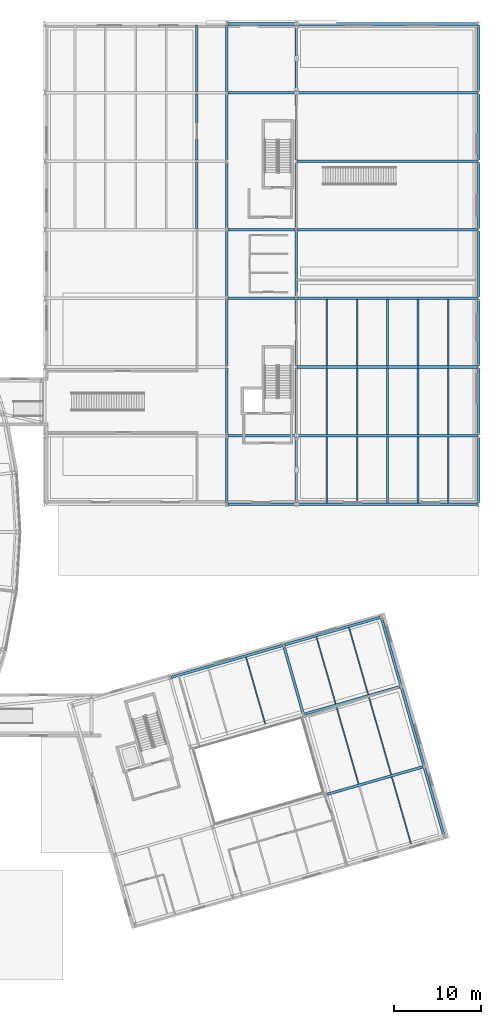
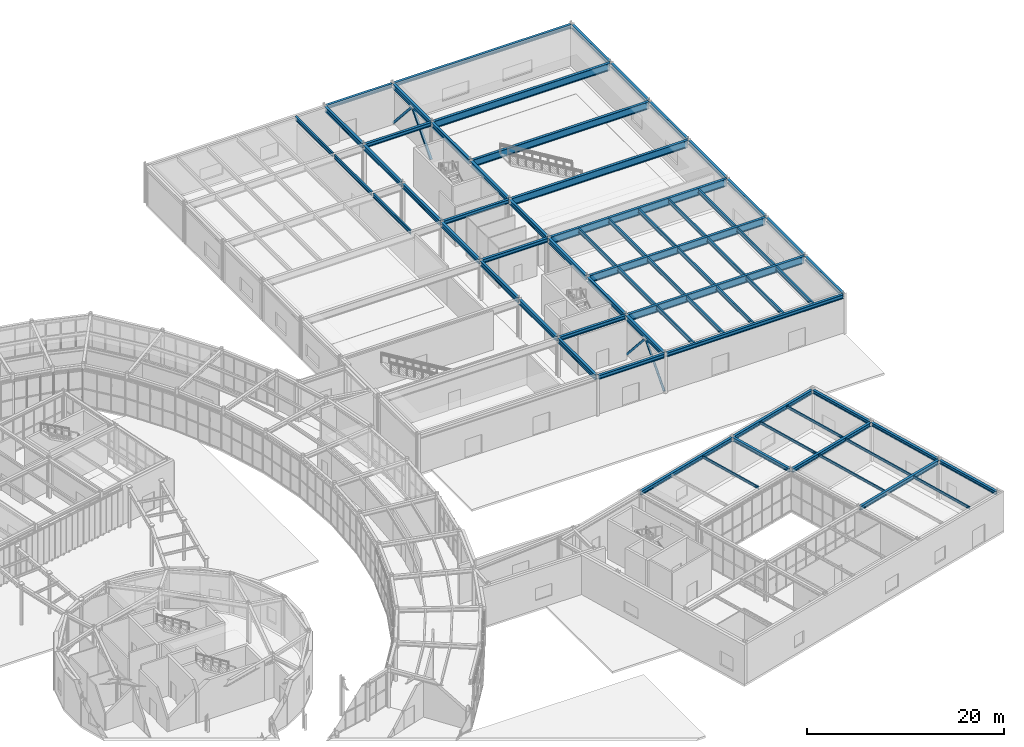
# One storey, part 54 of 97: 67 beams, 4 members.
"""IFC4 building model written with IfcOpenShell, lengths in metres."""

from ifc_helpers import new_model, si_unit, direction, frame, origin, origin_2d, place, context, subcontext, project, spatial, hollow_rectangle, hollow_circle, i_section, extrude, material, material_profile, profile_set, type_object, element, save


model = new_model("IFC4")

# Units and contexts
model_context = context("Model", 3, precision=1e-05, world=origin(), true_north=direction((0.0, 1.0)))
body_context = subcontext(model_context, "Body", "Model", "MODEL_VIEW")
ifc_project = project(units=[si_unit("LENGTHUNIT", "METRE"), si_unit("AREAUNIT", "SQUARE_METRE"), si_unit("VOLUMEUNIT", "CUBIC_METRE"), si_unit("PLANEANGLEUNIT", "RADIAN"), si_unit("MASSUNIT", "GRAM", prefix="KILO")], contexts=[model_context])

# Site, building, storey
site_placement = place(None, origin())
site = spatial("IfcSite", under=ifc_project, at=site_placement, CompositionType="ELEMENT")
building_placement = place(site_placement, origin())
building = spatial("IfcBuilding", under=site, at=building_placement, Name="Varnklinge Art Gallery", CompositionType="ELEMENT")
storey_placement = place(building_placement, origin())
storey = spatial("IfcBuildingStorey", under=building, at=storey_placement, Name="L00", CompositionType="ELEMENT", Elevation=0.0)

# Beams
ifc_material_1 = material(Name="Steel S355", Category="steel")
ifc_material_profile_1 = material_profile(ifc_material_1, i_section(OverallWidth=0.300048828125, OverallDepth=0.89990234375, WebThickness=0.0185546875, FlangeThickness=0.034912109375, FilletRadius=0.030029296875, at=origin_2d()), Name="HEB 900")
ifc_profile_set_1 = profile_set([ifc_material_profile_1], Name="Steel S355")
beam_type_1 = type_object("IfcBeamType", Name="BM-02", PredefinedType="BEAM", material=ifc_profile_set_1)
for number, where, z_axis, x_axis, name in (
    (1, (143.5400390625, 66.10009765625, 4.429931640625), (1.0, 0.0, 0.0), (0.0, 1.0, 0.0), "L00 BM-02 BM-V1-L01-X1-2"),
    (2, (143.5400390625, 74.0, 4.429931640625), (1.0, 0.0, 0.0), (0.0, 1.0, 0.0), "L00 BM-02 BM-V1-L01-X2-2"),
    (3, (143.5400390625, 81.89990234375, 4.429931640625), (1.0, 0.0, 0.0), (0.0, 1.0, 0.0), "L00 BM-02 BM-V1-L01-X3-2"),
    (4, (143.5400390625, 89.800048828125, 4.429931640625), (1.0, 0.0, 0.0), (0.0, 1.0, 0.0), "L00 BM-02 BM-V1-L01-X4-2"),
    (5, (143.5400390625, 97.699951171875, 4.429931640625), (1.0, 0.0, 0.0), (0.0, 1.0, 0.0), "L00 BM-02 BM-V1-L01-X5-2"),
    (6, (143.5400390625, 105.60009765625, 4.429931640625), (1.0, 0.0, 0.0), (0.0, 1.0, 0.0), "L00 BM-02 BM-V1-L01-X6-2"),
):
    element("IfcBeam", number, at=place(storey_placement, frame(where, z_axis=z_axis, x_axis=x_axis)), inside=storey, type_object=beam_type_1, Name=name, PredefinedType="BEAM", context=body_context, shape_type="SweptSolid", body=[
        extrude(i_section(OverallWidth=0.300048828125, OverallDepth=0.89990234375, WebThickness=0.0185546875, FlangeThickness=0.034912109375, FilletRadius=0.030029296875, at=origin_2d()), origin(), (0.0, 0.0, 1.0), 20.719970703125),
    ])
ifc_material_2 = material(Name="Steel S355", Category="steel")
ifc_material_profile_2 = material_profile(ifc_material_2, i_section(OverallWidth=0.300048828125, OverallDepth=0.60009765625, WebThickness=0.015380859375, FlangeThickness=0.030029296875, FilletRadius=0.027099609375, at=origin_2d()), Name="HEB 600")
ifc_profile_set_2 = profile_set([ifc_material_profile_2], Name="Steel S355")
beam_type_2 = type_object("IfcBeamType", Name="BM-05", PredefinedType="BEAM", material=ifc_profile_set_2)
beam_1_placement = place(storey_placement, frame((135.39990234375, 58.340087890625, 4.580078125), z_axis=(0.0, 1.0, 0.0), x_axis=(-1.0, 0.0, 0.0)))
element("IfcBeam", 7, at=beam_1_placement, inside=storey, type_object=beam_type_2, Name="L00 BM-05 BM-V1-L01-Y1-0", PredefinedType="BEAM", context=body_context, shape_type="SweptSolid", body=[
    extrude(i_section(OverallWidth=0.300048828125, OverallDepth=0.60009765625, WebThickness=0.015380859375, FlangeThickness=0.030029296875, FilletRadius=0.027099609375, at=origin_2d()), origin(), (0.0, 0.0, 1.0), 7.619873046875),
])
for number, where, z_axis, x_axis, name in (
    (8, (135.39990234375, 66.239990234375, 4.580078125), (0.0, 1.0, 0.0), (-1.0, 0.0, 0.0), "L00 BM-05 BM-V1-L01-Y1-1"),
    (9, (135.39990234375, 74.139892578125, 4.580078125), (0.0, 1.0, 0.0), (-1.0, 0.0, 0.0), "L00 BM-05 BM-V1-L01-Y1-2"),
):
    element("IfcBeam", number, at=place(storey_placement, frame(where, z_axis=z_axis, x_axis=x_axis)), inside=storey, type_object=beam_type_2, Name=name, PredefinedType="BEAM", context=body_context, shape_type="SweptSolid", body=[
        extrude(i_section(OverallWidth=0.300048828125, OverallDepth=0.60009765625, WebThickness=0.015380859375, FlangeThickness=0.030029296875, FilletRadius=0.027099609375, at=origin_2d()), origin(), (0.0, 0.0, 1.0), 7.6201171875),
    ])
beam_2_placement = place(storey_placement, frame((135.39990234375, 82.0400390625, 4.580078125), z_axis=(0.0, 1.0, 0.0), x_axis=(-1.0, 0.0, 0.0)))
element("IfcBeam", 10, at=beam_2_placement, inside=storey, type_object=beam_type_2, Name="L00 BM-05 BM-V1-L01-Y1-3", PredefinedType="BEAM", context=body_context, shape_type="SweptSolid", body=[
    extrude(i_section(OverallWidth=0.300048828125, OverallDepth=0.60009765625, WebThickness=0.015380859375, FlangeThickness=0.030029296875, FilletRadius=0.027099609375, at=origin_2d()), origin(), (0.0, 0.0, 1.0), 7.619873046875),
])
beam_3_placement = place(storey_placement, frame((135.39990234375, 89.93994140625, 4.580078125), z_axis=(0.0, 1.0, 0.0), x_axis=(-1.0, 0.0, 0.0)))
element("IfcBeam", 11, at=beam_3_placement, inside=storey, type_object=beam_type_2, Name="L00 BM-05 BM-V1-L01-Y1-4", PredefinedType="BEAM", context=body_context, shape_type="SweptSolid", body=[
    extrude(i_section(OverallWidth=0.300048828125, OverallDepth=0.60009765625, WebThickness=0.015380859375, FlangeThickness=0.030029296875, FilletRadius=0.027099609375, at=origin_2d()), origin(), (0.0, 0.0, 1.0), 7.6201171875),
])
beam_4_placement = place(storey_placement, frame((135.39990234375, 97.840087890625, 4.580078125), z_axis=(0.0, 1.0, 0.0), x_axis=(-1.0, 0.0, 0.0)))
element("IfcBeam", 12, at=beam_4_placement, inside=storey, type_object=beam_type_2, Name="L00 BM-05 BM-V1-L01-Y1-5", PredefinedType="BEAM", context=body_context, shape_type="SweptSolid", body=[
    extrude(i_section(OverallWidth=0.300048828125, OverallDepth=0.60009765625, WebThickness=0.015380859375, FlangeThickness=0.030029296875, FilletRadius=0.027099609375, at=origin_2d()), origin(), (0.0, 0.0, 1.0), 7.619873046875),
])
beam_5_placement = place(storey_placement, frame((135.39990234375, 105.739990234375, 4.580078125), z_axis=(0.0, 1.0, 0.0), x_axis=(-1.0, 0.0, 0.0)))
element("IfcBeam", 13, at=beam_5_placement, inside=storey, type_object=beam_type_2, Name="L00 BM-05 BM-V1-L01-Y1-6", PredefinedType="BEAM", context=body_context, shape_type="SweptSolid", body=[
    extrude(i_section(OverallWidth=0.300048828125, OverallDepth=0.60009765625, WebThickness=0.015380859375, FlangeThickness=0.030029296875, FilletRadius=0.027099609375, at=origin_2d()), origin(), (0.0, 0.0, 1.0), 7.6201171875),
])
beam_6_placement = place(storey_placement, frame((143.39990234375, 58.340087890625, 4.580078125), z_axis=(0.0, 1.0, 0.0), x_axis=(-1.0, 0.0, 0.0)))
element("IfcBeam", 14, at=beam_6_placement, inside=storey, type_object=beam_type_2, Name="L00 BM-05 BM-V1-L01-Y2-0", PredefinedType="BEAM", context=body_context, shape_type="SweptSolid", body=[
    extrude(i_section(OverallWidth=0.300048828125, OverallDepth=0.60009765625, WebThickness=0.015380859375, FlangeThickness=0.030029296875, FilletRadius=0.027099609375, at=origin_2d()), origin(), (0.0, 0.0, 1.0), 7.619873046875),
])
for number, where, z_axis, x_axis, name in (
    (15, (143.39990234375, 66.239990234375, 4.580078125), (0.0, 1.0, 0.0), (-1.0, 0.0, 0.0), "L00 BM-05 BM-V1-L01-Y2-1"),
    (16, (143.39990234375, 74.139892578125, 4.580078125), (0.0, 1.0, 0.0), (-1.0, 0.0, 0.0), "L00 BM-05 BM-V1-L01-Y2-2"),
):
    element("IfcBeam", number, at=place(storey_placement, frame(where, z_axis=z_axis, x_axis=x_axis)), inside=storey, type_object=beam_type_2, Name=name, PredefinedType="BEAM", context=body_context, shape_type="SweptSolid", body=[
        extrude(i_section(OverallWidth=0.300048828125, OverallDepth=0.60009765625, WebThickness=0.015380859375, FlangeThickness=0.030029296875, FilletRadius=0.027099609375, at=origin_2d()), origin(), (0.0, 0.0, 1.0), 7.6201171875),
    ])
beam_7_placement = place(storey_placement, frame((143.39990234375, 82.0400390625, 4.580078125), z_axis=(0.0, 1.0, 0.0), x_axis=(-1.0, 0.0, 0.0)))
element("IfcBeam", 17, at=beam_7_placement, inside=storey, type_object=beam_type_2, Name="L00 BM-05 BM-V1-L01-Y2-3", PredefinedType="BEAM", context=body_context, shape_type="SweptSolid", body=[
    extrude(i_section(OverallWidth=0.300048828125, OverallDepth=0.60009765625, WebThickness=0.015380859375, FlangeThickness=0.030029296875, FilletRadius=0.027099609375, at=origin_2d()), origin(), (0.0, 0.0, 1.0), 7.619873046875),
])
beam_8_placement = place(storey_placement, frame((143.39990234375, 89.93994140625, 4.580078125), z_axis=(0.0, 1.0, 0.0), x_axis=(-1.0, 0.0, 0.0)))
element("IfcBeam", 18, at=beam_8_placement, inside=storey, type_object=beam_type_2, Name="L00 BM-05 BM-V1-L01-Y2-4", PredefinedType="BEAM", context=body_context, shape_type="SweptSolid", body=[
    extrude(i_section(OverallWidth=0.300048828125, OverallDepth=0.60009765625, WebThickness=0.015380859375, FlangeThickness=0.030029296875, FilletRadius=0.027099609375, at=origin_2d()), origin(), (0.0, 0.0, 1.0), 7.6201171875),
])
beam_9_placement = place(storey_placement, frame((143.39990234375, 97.840087890625, 4.580078125), z_axis=(0.0, 1.0, 0.0), x_axis=(-1.0, 0.0, 0.0)))
element("IfcBeam", 19, at=beam_9_placement, inside=storey, type_object=beam_type_2, Name="L00 BM-05 BM-V1-L01-Y2-5", PredefinedType="BEAM", context=body_context, shape_type="SweptSolid", body=[
    extrude(i_section(OverallWidth=0.300048828125, OverallDepth=0.60009765625, WebThickness=0.015380859375, FlangeThickness=0.030029296875, FilletRadius=0.027099609375, at=origin_2d()), origin(), (0.0, 0.0, 1.0), 7.619873046875),
])
beam_10_placement = place(storey_placement, frame((143.39990234375, 105.739990234375, 4.580078125), z_axis=(0.0, 1.0, 0.0), x_axis=(-1.0, 0.0, 0.0)))
element("IfcBeam", 20, at=beam_10_placement, inside=storey, type_object=beam_type_2, Name="L00 BM-05 BM-V1-L01-Y2-6", PredefinedType="BEAM", context=body_context, shape_type="SweptSolid", body=[
    extrude(i_section(OverallWidth=0.300048828125, OverallDepth=0.60009765625, WebThickness=0.015380859375, FlangeThickness=0.030029296875, FilletRadius=0.027099609375, at=origin_2d()), origin(), (0.0, 0.0, 1.0), 7.6201171875),
])
ifc_material_3 = material(Name="Steel S355", Category="steel")
ifc_material_profile_3 = material_profile(ifc_material_3, i_section(OverallWidth=0.300048828125, OverallDepth=0.489990234375, WebThickness=0.011962890625, FlangeThickness=0.02294921875, FilletRadius=0.027099609375, at=origin_2d()), Name="HEA 500")
ifc_profile_set_3 = profile_set([ifc_material_profile_3], Name="Steel S355")
beam_type_3 = type_object("IfcBeamType", Name="BM-07", PredefinedType="BEAM", material=ifc_profile_set_3)
for number, where, z_axis, x_axis, name in (
    (21, (135.5400390625, 66.10009765625, 4.635009765625), (1.0, 0.0, 0.0), (0.0, 1.0, 0.0), "L00 BM-07 BM-V1-L01-X1-1"),
    (22, (135.5400390625, 81.89990234375, 4.635009765625), (1.0, 0.0, 0.0), (0.0, 1.0, 0.0), "L00 BM-07 BM-V1-L01-X3-1"),
    (23, (135.5400390625, 89.800048828125, 4.635009765625), (1.0, 0.0, 0.0), (0.0, 1.0, 0.0), "L00 BM-07 BM-V1-L01-X4-1"),
    (24, (135.5400390625, 105.60009765625, 4.635009765625), (1.0, 0.0, 0.0), (0.0, 1.0, 0.0), "L00 BM-07 BM-V1-L01-X6-1"),
):
    element("IfcBeam", number, at=place(storey_placement, frame(where, z_axis=z_axis, x_axis=x_axis)), inside=storey, type_object=beam_type_3, Name=name, PredefinedType="BEAM", context=body_context, shape_type="SweptSolid", body=[
        extrude(i_section(OverallWidth=0.300048828125, OverallDepth=0.489990234375, WebThickness=0.011962890625, FlangeThickness=0.02294921875, FilletRadius=0.027099609375, at=origin_2d()), origin(), (0.0, 0.0, 1.0), 7.719970703125),
    ])
for number, where, z_axis, x_axis, name in (
    (25, (146.994140625, 24.798828125, 4.635009765625), (0.961262939416, 0.275633019257, 0.0), (-0.275633019257, 0.961262939416, 0.0), "L00 BM-07 BM-V6-L01-U1-2"),
    (26, (144.34814453125, 34.027099609375, 4.635009765625), (0.961262939416, 0.275633019257, 0.0), (-0.275633019257, 0.961262939416, 0.0), "L00 BM-07 BM-V6-L01-U2-2"),
):
    element("IfcBeam", number, at=place(storey_placement, frame(where, z_axis=z_axis, x_axis=x_axis)), inside=storey, type_object=beam_type_3, Name=name, PredefinedType="BEAM", context=body_context, shape_type="SweptSolid", body=[
        extrude(i_section(OverallWidth=0.300048828125, OverallDepth=0.489990234375, WebThickness=0.011962890625, FlangeThickness=0.02294921875, FilletRadius=0.027099609375, at=origin_2d()), origin(), (0.0, 0.0, 1.0), 11.419921875),
    ])
beam_11_placement = place(storey_placement, frame((128.9873046875, 38.2568359375, 4.635009765625), z_axis=(0.961262060229, 0.275636085381, 0.0), x_axis=(-0.275636085381, 0.961262060229, 0.0)))
element("IfcBeam", 27, at=beam_11_placement, inside=storey, type_object=beam_type_3, Name="L00 BM-07 BM-V6-L01-U3-1", PredefinedType="BEAM", context=body_context, shape_type="SweptSolid", body=[
    extrude(i_section(OverallWidth=0.300048828125, OverallDepth=0.489990234375, WebThickness=0.011962890625, FlangeThickness=0.02294921875, FilletRadius=0.027099609375, at=origin_2d()), origin(), (0.0, 0.0, 1.0), 13.319580078125),
])
beam_12_placement = place(storey_placement, frame((142.060302734375, 42.005615234375, 4.635009765625), z_axis=(0.961262939416, 0.275633019257, 0.0), x_axis=(-0.275633019257, 0.961262939416, 0.0)))
element("IfcBeam", 28, at=beam_12_placement, inside=storey, type_object=beam_type_3, Name="L00 BM-07 BM-V6-L01-U3-2", PredefinedType="BEAM", context=body_context, shape_type="SweptSolid", body=[
    extrude(i_section(OverallWidth=0.300048828125, OverallDepth=0.489990234375, WebThickness=0.011962890625, FlangeThickness=0.02294921875, FilletRadius=0.027099609375, at=origin_2d()), origin(), (0.0, 0.0, 1.0), 11.419921875),
])
ifc_material_4 = material(Name="Steel S355", Category="steel")
ifc_material_profile_4 = material_profile(ifc_material_4, i_section(OverallWidth=0.300048828125, OverallDepth=0.43994140625, WebThickness=0.011474609375, FlangeThickness=0.02099609375, FilletRadius=0.027099609375, at=origin_2d()), Name="HEA 450")
ifc_profile_set_4 = profile_set([ifc_material_profile_4], Name="Steel S355")
beam_type_4 = type_object("IfcBeamType", Name="BM-08", PredefinedType="BEAM", material=ifc_profile_set_4)
beam_13_placement = place(storey_placement, frame((144.1748046875, 34.123046875, 4.659912109375), z_axis=(-0.275621630307, 0.961266205016, 0.0), x_axis=(-0.961266205016, -0.275621630307, 0.0)))
element("IfcBeam", 29, at=beam_13_placement, inside=storey, type_object=beam_type_4, Name="L00 BM-08 BM-V6-L01-V2-2", PredefinedType="BEAM", context=body_context, shape_type="SweptSolid", body=[
    extrude(i_section(OverallWidth=0.300048828125, OverallDepth=0.43994140625, WebThickness=0.011474609375, FlangeThickness=0.02099609375, FilletRadius=0.027099609375, at=origin_2d()), origin(), (0.0, 0.0, 1.0), 8.019775390625),
])
beam_14_placement = place(storey_placement, frame((160.355712890625, 20.141357421875, 4.659912109375), z_axis=(-0.275649759333, 0.961258139201, 0.0), x_axis=(-0.961258139201, -0.275649759333, 0.0)))
element("IfcBeam", 30, at=beam_14_placement, inside=storey, type_object=beam_type_4, Name="L00 BM-08 BM-V6-L01-V3-0", PredefinedType="BEAM", context=body_context, shape_type="SweptSolid", body=[
    extrude(i_section(OverallWidth=0.300048828125, OverallDepth=0.43994140625, WebThickness=0.011474609375, FlangeThickness=0.02099609375, FilletRadius=0.027099609375, at=origin_2d()), origin(), (0.0, 0.0, 1.0), 8.02001953125),
])
beam_15_placement = place(storey_placement, frame((158.06787109375, 28.119873046875, 4.659912109375), z_axis=(-0.275658609922, 0.961255601168, 0.0), x_axis=(-0.961255601168, -0.275658609922, 0.0)))
element("IfcBeam", 31, at=beam_15_placement, inside=storey, type_object=beam_type_4, Name="L00 BM-08 BM-V6-L01-V3-1", PredefinedType="BEAM", context=body_context, shape_type="SweptSolid", body=[
    extrude(i_section(OverallWidth=0.300048828125, OverallDepth=0.43994140625, WebThickness=0.011474609375, FlangeThickness=0.02099609375, FilletRadius=0.027099609375, at=origin_2d()), origin(), (0.0, 0.0, 1.0), 9.31982421875),
])
beam_16_placement = place(storey_placement, frame((155.421630859375, 37.347900390625, 4.659912109375), z_axis=(-0.275621630307, 0.961266205016, 0.0), x_axis=(-0.961266205016, -0.275621630307, 0.0)))
element("IfcBeam", 32, at=beam_16_placement, inside=storey, type_object=beam_type_4, Name="L00 BM-08 BM-V6-L01-V3-2", PredefinedType="BEAM", context=body_context, shape_type="SweptSolid", body=[
    extrude(i_section(OverallWidth=0.300048828125, OverallDepth=0.43994140625, WebThickness=0.011474609375, FlangeThickness=0.02099609375, FilletRadius=0.027099609375, at=origin_2d()), origin(), (0.0, 0.0, 1.0), 8.019775390625),
])

# Members
ifc_material_5 = material(Name="Steel S355", Category="steel")
ifc_material_profile_5 = material_profile(ifc_material_5, hollow_circle(Radius=0.136474609375, WallThickness=0.012451171875, at=origin_2d()), Name="CHS 273x12.5")
ifc_profile_set_5 = profile_set([ifc_material_profile_5], Name="Steel S355")
member_type_1 = type_object("IfcMemberType", Name="BRC-01", PredefinedType="BRACE", material=ifc_profile_set_5)
member_1_placement = place(storey_placement, frame((143.39990234375, 58.360107421875, 0.02001953125), z_axis=(0.0, 0.66466941779, 0.747137581075), x_axis=(-1.0, 0.0, 0.0)))
element("IfcMember", 33, at=member_1_placement, inside=storey, type_object=member_type_1, Name="L00 Braced Frame V1E-B0 Diagonal A", PredefinedType="BRACE", context=body_context, shape_type="SweptSolid", body=[
    extrude(hollow_circle(Radius=0.136474609375, WallThickness=0.012451171875, at=origin_2d()), origin(), (0.0, 0.0, 1.0), 5.70166015625),
])
member_2_placement = place(storey_placement, frame((143.39990234375, 65.93994140625, 0.02001953125), z_axis=(0.0, -0.664693318603, 0.747116317721), x_axis=(1.0, 0.0, 0.0)))
element("IfcMember", 34, at=member_2_placement, inside=storey, type_object=member_type_1, Name="L00 Braced Frame V1E-B0 Diagonal B", PredefinedType="BRACE", context=body_context, shape_type="SweptSolid", body=[
    extrude(hollow_circle(Radius=0.136474609375, WallThickness=0.012451171875, at=origin_2d()), origin(), (0.0, 0.0, 1.0), 5.701904296875),
])
ifc_material_6 = material(Name="Steel S355", Category="steel")
ifc_material_profile_6 = material_profile(ifc_material_6, hollow_rectangle(XDim=0.25, YDim=0.25, WallThickness=0.012451171875, at=origin_2d()), Name="SHS 250x250x12.5")
ifc_profile_set_6 = profile_set([ifc_material_profile_6], Name="Steel S355")
member_type_2 = type_object("IfcMemberType", Name="BRC-04", PredefinedType="BRACE", material=ifc_profile_set_6)
for number, where, z_axis, x_axis, name in (
    (35, (143.39990234375, 105.760009765625, 0.02001953125), (0.0, 0.664693318603, 0.747116317721), (-1.0, 0.0, 0.0), "L00 Braced Frame V1E-B6 Diagonal A"),
    (36, (143.39990234375, 113.340087890625, 0.02001953125), (0.0, -0.664693318603, 0.747116317721), (1.0, 0.0, 0.0), "L00 Braced Frame V1E-B6 Diagonal B"),
):
    element("IfcMember", number, at=place(storey_placement, frame(where, z_axis=z_axis, x_axis=x_axis)), inside=storey, type_object=member_type_2, Name=name, PredefinedType="BRACE", context=body_context, shape_type="SweptSolid", body=[
        extrude(hollow_rectangle(XDim=0.25, YDim=0.25, WallThickness=0.012451171875, at=origin_2d()), origin(), (0.0, 0.0, 1.0), 5.701904296875),
    ])

# Beams
ifc_material_7 = material(Name="Steel S355", Category="steel")
ifc_material_profile_7 = material_profile(ifc_material_7, i_section(OverallWidth=0.199951171875, OverallDepth=0.5, WebThickness=0.01025390625, FlangeThickness=0.01611328125, FilletRadius=0.02099609375, at=origin_2d()), Name="IPE 500")
ifc_profile_set_7 = profile_set([ifc_material_profile_7], Name="Steel S355")
beam_type_5 = type_object("IfcBeamType", Name="JST-03", PredefinedType="JOIST", material=ifc_profile_set_7)
for number, where, z_axis, x_axis, name in (
    (37, (146.89990234375, 58.340087890625, 4.6298828125), (0.0, 1.0, 0.0), (-1.0, 0.0, 0.0), "L00 JST-03 JST-V1-L01-0-1-1"),
    (38, (150.39990234375, 58.340087890625, 4.6298828125), (0.0, 1.0, 0.0), (-1.0, 0.0, 0.0), "L00 JST-03 JST-V1-L01-0-1-2"),
    (39, (153.89990234375, 58.340087890625, 4.6298828125), (0.0, 1.0, 0.0), (-1.0, 0.0, 0.0), "L00 JST-03 JST-V1-L01-0-1-3"),
    (40, (157.39990234375, 58.340087890625, 4.6298828125), (0.0, 1.0, 0.0), (-1.0, 0.0, 0.0), "L00 JST-03 JST-V1-L01-0-1-4"),
    (41, (160.89990234375, 58.340087890625, 4.6298828125), (0.0, 1.0, 0.0), (-1.0, 0.0, 0.0), "L00 JST-03 JST-V1-L01-0-1-5"),
):
    element("IfcBeam", number, at=place(storey_placement, frame(where, z_axis=z_axis, x_axis=x_axis)), inside=storey, type_object=beam_type_5, Name=name, PredefinedType="JOIST", context=body_context, shape_type="SweptSolid", body=[
        extrude(i_section(OverallWidth=0.199951171875, OverallDepth=0.5, WebThickness=0.01025390625, FlangeThickness=0.01611328125, FilletRadius=0.02099609375, at=origin_2d()), origin(), (0.0, 0.0, 1.0), 7.619873046875),
    ])
for number, where, z_axis, x_axis, name in (
    (42, (146.89990234375, 66.239990234375, 4.6298828125), (0.0, 1.0, 0.0), (-1.0, 0.0, 0.0), "L00 JST-03 JST-V1-L01-1-1-1"),
    (43, (150.39990234375, 66.239990234375, 4.6298828125), (0.0, 1.0, 0.0), (-1.0, 0.0, 0.0), "L00 JST-03 JST-V1-L01-1-1-2"),
    (44, (153.89990234375, 66.239990234375, 4.6298828125), (0.0, 1.0, 0.0), (-1.0, 0.0, 0.0), "L00 JST-03 JST-V1-L01-1-1-3"),
    (45, (157.39990234375, 66.239990234375, 4.6298828125), (0.0, 1.0, 0.0), (-1.0, 0.0, 0.0), "L00 JST-03 JST-V1-L01-1-1-4"),
    (46, (160.89990234375, 66.239990234375, 4.6298828125), (0.0, 1.0, 0.0), (-1.0, 0.0, 0.0), "L00 JST-03 JST-V1-L01-1-1-5"),
    (47, (146.89990234375, 74.139892578125, 4.6298828125), (0.0, 1.0, 0.0), (-1.0, 0.0, 0.0), "L00 JST-03 JST-V1-L01-2-1-1"),
    (48, (150.39990234375, 74.139892578125, 4.6298828125), (0.0, 1.0, 0.0), (-1.0, 0.0, 0.0), "L00 JST-03 JST-V1-L01-2-1-2"),
    (49, (153.89990234375, 74.139892578125, 4.6298828125), (0.0, 1.0, 0.0), (-1.0, 0.0, 0.0), "L00 JST-03 JST-V1-L01-2-1-3"),
    (50, (157.39990234375, 74.139892578125, 4.6298828125), (0.0, 1.0, 0.0), (-1.0, 0.0, 0.0), "L00 JST-03 JST-V1-L01-2-1-4"),
    (51, (160.89990234375, 74.139892578125, 4.6298828125), (0.0, 1.0, 0.0), (-1.0, 0.0, 0.0), "L00 JST-03 JST-V1-L01-2-1-5"),
    (52, (131.89990234375, 89.93994140625, 4.6298828125), (0.0, 1.0, 0.0), (-1.0, 0.0, 0.0), "L00 JST-03 JST-V1-L01-4-0-5"),
):
    element("IfcBeam", number, at=place(storey_placement, frame(where, z_axis=z_axis, x_axis=x_axis)), inside=storey, type_object=beam_type_5, Name=name, PredefinedType="JOIST", context=body_context, shape_type="SweptSolid", body=[
        extrude(i_section(OverallWidth=0.199951171875, OverallDepth=0.5, WebThickness=0.01025390625, FlangeThickness=0.01611328125, FilletRadius=0.02099609375, at=origin_2d()), origin(), (0.0, 0.0, 1.0), 7.6201171875),
    ])
beam_17_placement = place(storey_placement, frame((131.89990234375, 97.840087890625, 4.6298828125), z_axis=(0.0, 1.0, 0.0), x_axis=(-1.0, 0.0, 0.0)))
element("IfcBeam", 53, at=beam_17_placement, inside=storey, type_object=beam_type_5, Name="L00 JST-03 JST-V1-L01-5-0-5", PredefinedType="JOIST", context=body_context, shape_type="SweptSolid", body=[
    extrude(i_section(OverallWidth=0.199951171875, OverallDepth=0.5, WebThickness=0.01025390625, FlangeThickness=0.01611328125, FilletRadius=0.02099609375, at=origin_2d()), origin(), (0.0, 0.0, 1.0), 7.619873046875),
])
beam_18_placement = place(storey_placement, frame((131.89990234375, 105.739990234375, 4.6298828125), z_axis=(0.0, 1.0, 0.0), x_axis=(-1.0, 0.0, 0.0)))
element("IfcBeam", 54, at=beam_18_placement, inside=storey, type_object=beam_type_5, Name="L00 JST-03 JST-V1-L01-6-0-5", PredefinedType="JOIST", context=body_context, shape_type="SweptSolid", body=[
    extrude(i_section(OverallWidth=0.199951171875, OverallDepth=0.5, WebThickness=0.01025390625, FlangeThickness=0.01611328125, FilletRadius=0.02099609375, at=origin_2d()), origin(), (0.0, 0.0, 1.0), 7.6201171875),
])
ifc_material_8 = material(Name="Steel S355", Category="steel")
ifc_material_profile_8 = material_profile(ifc_material_8, i_section(OverallWidth=0.14990234375, OverallDepth=0.300048828125, WebThickness=0.007080078125, FlangeThickness=0.0107421875, FilletRadius=0.014892578125, at=origin_2d()), Name="IPE 300")
ifc_profile_set_8 = profile_set([ifc_material_profile_8], Name="Steel S355")
beam_type_6 = type_object("IfcBeamType", Name="JST-08", PredefinedType="JOIST", material=ifc_profile_set_8)
for number, where, z_axis, x_axis, name in (
    (55, (139.817138671875, 32.873291015625, 4.72998046875), (-0.275613565062, 0.961268517509, 0.0), (-0.961268517509, -0.275613565062, 0.0), "L00 JST-08 JST-V6-L01-1-2-2"),
    (56, (156.606689453125, 19.06640625, 4.72998046875), (-0.275649759333, 0.961258139201, 0.0), (-0.961258139201, -0.275649759333, 0.0), "L00 JST-08 JST-V6-L01-2-0-2"),
):
    element("IfcBeam", number, at=place(storey_placement, frame(where, z_axis=z_axis, x_axis=x_axis)), inside=storey, type_object=beam_type_6, Name=name, PredefinedType="JOIST", context=body_context, shape_type="SweptSolid", body=[
        extrude(i_section(OverallWidth=0.14990234375, OverallDepth=0.300048828125, WebThickness=0.007080078125, FlangeThickness=0.0107421875, FilletRadius=0.014892578125, at=origin_2d()), origin(), (0.0, 0.0, 1.0), 8.02001953125),
    ])
for number, where, z_axis, x_axis, name in (
    (57, (150.56982421875, 25.9697265625, 4.72998046875), (-0.27562746375, 0.961264532388, 0.0), (-0.961264532388, -0.27562746375, 0.0), "L00 JST-08 JST-V6-L01-2-1-1"),
    (58, (154.31884765625, 27.044921875, 4.72998046875), (-0.27562746375, 0.961264532388, 0.0), (-0.961264532388, -0.27562746375, 0.0), "L00 JST-08 JST-V6-L01-2-1-2"),
):
    element("IfcBeam", number, at=place(storey_placement, frame(where, z_axis=z_axis, x_axis=x_axis)), inside=storey, type_object=beam_type_6, Name=name, PredefinedType="JOIST", context=body_context, shape_type="SweptSolid", body=[
        extrude(i_section(OverallWidth=0.14990234375, OverallDepth=0.300048828125, WebThickness=0.007080078125, FlangeThickness=0.0107421875, FilletRadius=0.014892578125, at=origin_2d()), origin(), (0.0, 0.0, 1.0), 9.320068359375),
    ])
beam_19_placement = place(storey_placement, frame((147.923828125, 35.197998046875, 4.72998046875), z_axis=(-0.275649759333, 0.961258139201, 0.0), x_axis=(-0.961258139201, -0.275649759333, 0.0)))
element("IfcBeam", 59, at=beam_19_placement, inside=storey, type_object=beam_type_6, Name="L00 JST-08 JST-V6-L01-2-2-1", PredefinedType="JOIST", context=body_context, shape_type="SweptSolid", body=[
    extrude(i_section(OverallWidth=0.14990234375, OverallDepth=0.300048828125, WebThickness=0.007080078125, FlangeThickness=0.0107421875, FilletRadius=0.014892578125, at=origin_2d()), origin(), (0.0, 0.0, 1.0), 8.02001953125),
])
beam_20_placement = place(storey_placement, frame((151.6728515625, 36.27294921875, 4.72998046875), z_axis=(-0.2756416934, 0.961260452146, 0.0), x_axis=(-0.961260452146, -0.2756416934, 0.0)))
element("IfcBeam", 60, at=beam_20_placement, inside=storey, type_object=beam_type_6, Name="L00 JST-08 JST-V6-L01-2-2-2", PredefinedType="JOIST", context=body_context, shape_type="SweptSolid", body=[
    extrude(i_section(OverallWidth=0.14990234375, OverallDepth=0.300048828125, WebThickness=0.007080078125, FlangeThickness=0.0107421875, FilletRadius=0.014892578125, at=origin_2d()), origin(), (0.0, 0.0, 1.0), 8.020263671875),
])
ifc_material_9 = material(Name="Steel S355", Category="steel")
ifc_material_profile_9 = material_profile(ifc_material_9, i_section(OverallWidth=0.300048828125, OverallDepth=0.489990234375, WebThickness=0.011962890625, FlangeThickness=0.02294921875, FilletRadius=0.027099609375, at=origin_2d()), Name="HEA 500")
ifc_profile_set_9 = profile_set([ifc_material_profile_9], Name="Steel S355")
beam_type_7 = type_object("IfcBeamType", Name="SPB-01", PredefinedType="SPANDREL", material=ifc_profile_set_9)
beam_21_placement = place(storey_placement, frame((135.5400390625, 58.199951171875, 4.635009765625), z_axis=(1.0, 0.0, 0.0), x_axis=(0.0, 1.0, 0.0)))
element("IfcBeam", 61, at=beam_21_placement, inside=storey, type_object=beam_type_7, Name="L00 SPB-01 BM-V1-L01-X0-1", PredefinedType="SPANDREL", context=body_context, shape_type="SweptSolid", body=[
    extrude(i_section(OverallWidth=0.300048828125, OverallDepth=0.489990234375, WebThickness=0.011962890625, FlangeThickness=0.02294921875, FilletRadius=0.027099609375, at=origin_2d()), origin(), (0.0, 0.0, 1.0), 7.719970703125),
])
beam_22_placement = place(storey_placement, frame((143.5400390625, 58.199951171875, 4.635009765625), z_axis=(1.0, 0.0, 0.0), x_axis=(0.0, 1.0, 0.0)))
element("IfcBeam", 62, at=beam_22_placement, inside=storey, type_object=beam_type_7, Name="L00 SPB-01 BM-V1-L01-X0-2", PredefinedType="SPANDREL", context=body_context, shape_type="SweptSolid", body=[
    extrude(i_section(OverallWidth=0.300048828125, OverallDepth=0.489990234375, WebThickness=0.011962890625, FlangeThickness=0.02294921875, FilletRadius=0.027099609375, at=origin_2d()), origin(), (0.0, 0.0, 1.0), 20.719970703125),
])
beam_23_placement = place(storey_placement, frame((135.5400390625, 113.5, 4.635009765625), z_axis=(1.0, 0.0, 0.0), x_axis=(0.0, 1.0, 0.0)))
element("IfcBeam", 63, at=beam_23_placement, inside=storey, type_object=beam_type_7, Name="L00 SPB-01 BM-V1-L01-X7-1", PredefinedType="SPANDREL", context=body_context, shape_type="SweptSolid", body=[
    extrude(i_section(OverallWidth=0.300048828125, OverallDepth=0.489990234375, WebThickness=0.011962890625, FlangeThickness=0.02294921875, FilletRadius=0.027099609375, at=origin_2d()), origin(), (0.0, 0.0, 1.0), 7.719970703125),
])
beam_24_placement = place(storey_placement, frame((143.5400390625, 113.5, 4.635009765625), z_axis=(1.0, 0.0, 0.0), x_axis=(0.0, 1.0, 0.0)))
element("IfcBeam", 64, at=beam_24_placement, inside=storey, type_object=beam_type_7, Name="L00 SPB-01 BM-V1-L01-X7-2", PredefinedType="SPANDREL", context=body_context, shape_type="SweptSolid", body=[
    extrude(i_section(OverallWidth=0.300048828125, OverallDepth=0.489990234375, WebThickness=0.011962890625, FlangeThickness=0.02294921875, FilletRadius=0.027099609375, at=origin_2d()), origin(), (0.0, 0.0, 1.0), 20.719970703125),
])
beam_25_placement = place(storey_placement, frame((164.39990234375, 58.340087890625, 4.635009765625), z_axis=(0.0, 1.0, 0.0), x_axis=(-1.0, 0.0, 0.0)))
element("IfcBeam", 65, at=beam_25_placement, inside=storey, type_object=beam_type_7, Name="L00 SPB-01 BM-V1-L01-Y3-0", PredefinedType="SPANDREL", context=body_context, shape_type="SweptSolid", body=[
    extrude(i_section(OverallWidth=0.300048828125, OverallDepth=0.489990234375, WebThickness=0.011962890625, FlangeThickness=0.02294921875, FilletRadius=0.027099609375, at=origin_2d()), origin(), (0.0, 0.0, 1.0), 7.619873046875),
])
for number, where, z_axis, x_axis, name in (
    (66, (164.39990234375, 66.239990234375, 4.635009765625), (0.0, 1.0, 0.0), (-1.0, 0.0, 0.0), "L00 SPB-01 BM-V1-L01-Y3-1"),
    (67, (164.39990234375, 74.139892578125, 4.635009765625), (0.0, 1.0, 0.0), (-1.0, 0.0, 0.0), "L00 SPB-01 BM-V1-L01-Y3-2"),
):
    element("IfcBeam", number, at=place(storey_placement, frame(where, z_axis=z_axis, x_axis=x_axis)), inside=storey, type_object=beam_type_7, Name=name, PredefinedType="SPANDREL", context=body_context, shape_type="SweptSolid", body=[
        extrude(i_section(OverallWidth=0.300048828125, OverallDepth=0.489990234375, WebThickness=0.011962890625, FlangeThickness=0.02294921875, FilletRadius=0.027099609375, at=origin_2d()), origin(), (0.0, 0.0, 1.0), 7.6201171875),
    ])
beam_26_placement = place(storey_placement, frame((164.39990234375, 82.0400390625, 4.635009765625), z_axis=(0.0, 1.0, 0.0), x_axis=(-1.0, 0.0, 0.0)))
element("IfcBeam", 68, at=beam_26_placement, inside=storey, type_object=beam_type_7, Name="L00 SPB-01 BM-V1-L01-Y3-3", PredefinedType="SPANDREL", context=body_context, shape_type="SweptSolid", body=[
    extrude(i_section(OverallWidth=0.300048828125, OverallDepth=0.489990234375, WebThickness=0.011962890625, FlangeThickness=0.02294921875, FilletRadius=0.027099609375, at=origin_2d()), origin(), (0.0, 0.0, 1.0), 7.619873046875),
])
beam_27_placement = place(storey_placement, frame((164.39990234375, 89.93994140625, 4.635009765625), z_axis=(0.0, 1.0, 0.0), x_axis=(-1.0, 0.0, 0.0)))
element("IfcBeam", 69, at=beam_27_placement, inside=storey, type_object=beam_type_7, Name="L00 SPB-01 BM-V1-L01-Y3-4", PredefinedType="SPANDREL", context=body_context, shape_type="SweptSolid", body=[
    extrude(i_section(OverallWidth=0.300048828125, OverallDepth=0.489990234375, WebThickness=0.011962890625, FlangeThickness=0.02294921875, FilletRadius=0.027099609375, at=origin_2d()), origin(), (0.0, 0.0, 1.0), 7.6201171875),
])
beam_28_placement = place(storey_placement, frame((164.39990234375, 97.840087890625, 4.635009765625), z_axis=(0.0, 1.0, 0.0), x_axis=(-1.0, 0.0, 0.0)))
element("IfcBeam", 70, at=beam_28_placement, inside=storey, type_object=beam_type_7, Name="L00 SPB-01 BM-V1-L01-Y3-5", PredefinedType="SPANDREL", context=body_context, shape_type="SweptSolid", body=[
    extrude(i_section(OverallWidth=0.300048828125, OverallDepth=0.489990234375, WebThickness=0.011962890625, FlangeThickness=0.02294921875, FilletRadius=0.027099609375, at=origin_2d()), origin(), (0.0, 0.0, 1.0), 7.619873046875),
])
beam_29_placement = place(storey_placement, frame((164.39990234375, 105.739990234375, 4.635009765625), z_axis=(0.0, 1.0, 0.0), x_axis=(-1.0, 0.0, 0.0)))
element("IfcBeam", 71, at=beam_29_placement, inside=storey, type_object=beam_type_7, Name="L00 SPB-01 BM-V1-L01-Y3-6", PredefinedType="SPANDREL", context=body_context, shape_type="SweptSolid", body=[
    extrude(i_section(OverallWidth=0.300048828125, OverallDepth=0.489990234375, WebThickness=0.011962890625, FlangeThickness=0.02294921875, FilletRadius=0.027099609375, at=origin_2d()), origin(), (0.0, 0.0, 1.0), 7.6201171875),
])

save(model, "model.ifc")
